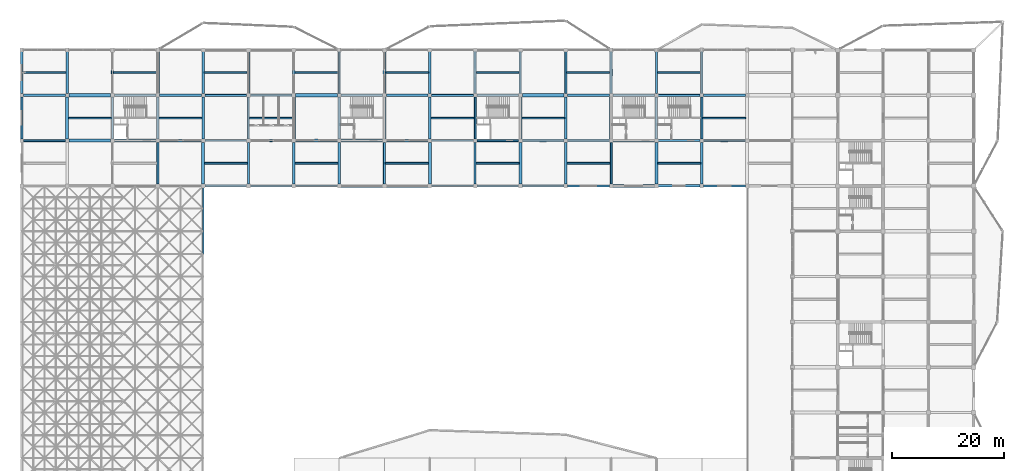
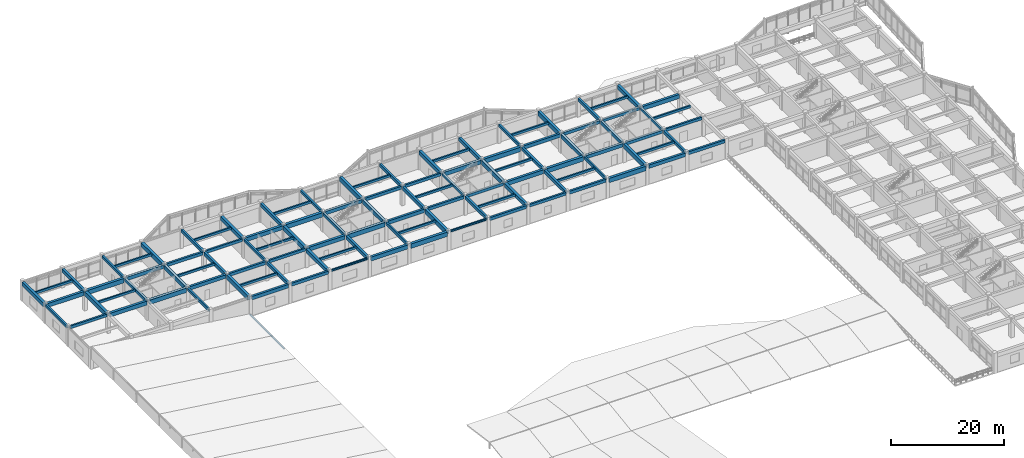
# One storey, part 25 of 70: 109 beams, 3 members.
"""IFC4 building model written with IfcOpenShell, lengths in metres."""

from ifc_helpers import new_model, si_unit, direction, frame, origin, origin_2d, place, context, subcontext, project, spatial, rectangle, hollow_rectangle, i_section, extrude, material, material_profile, profile_set, type_object, element, save


model = new_model("IFC4")

# Units and contexts
model_context = context("Model", 3, precision=1e-05, world=origin(), true_north=direction((0.0, 1.0)))
body_context = subcontext(model_context, "Body", "Model", "MODEL_VIEW")
ifc_project = project(units=[si_unit("LENGTHUNIT", "METRE"), si_unit("AREAUNIT", "SQUARE_METRE"), si_unit("VOLUMEUNIT", "CUBIC_METRE"), si_unit("PLANEANGLEUNIT", "RADIAN"), si_unit("MASSUNIT", "GRAM", prefix="KILO")], contexts=[model_context])

# Site, building, storey
site_placement = place(None, origin())
site = spatial("IfcSite", under=ifc_project, at=site_placement, CompositionType="ELEMENT")
building_placement = place(site_placement, origin())
building = spatial("IfcBuilding", under=site, at=building_placement, Name="Vaudrelin Polytechnic", CompositionType="ELEMENT")
storey_placement = place(building_placement, frame((0.0, 0.0, 14.110107421875)))
storey = spatial("IfcBuildingStorey", under=building, at=storey_placement, Name="L03", CompositionType="ELEMENT", Elevation=14.110107421875)

# Beams
ifc_material_1 = material(Name="Concrete 40 MPa", Category="concrete")
ifc_material_profile_1 = material_profile(ifc_material_1, rectangle(XDim=0.35009765625, YDim=0.60009765625, at=origin_2d()), Name="RC350x600")
ifc_profile_set_1 = profile_set([ifc_material_profile_1], Name="Concrete 40 MPa")
beam_type_1 = type_object("IfcBeamType", Name="BM-BM-RC3560", PredefinedType="BEAM", material=ifc_profile_set_1)
for number, where, z_axis, x_axis, name in (
    (1, (0.0, 105.610107421875, 3.85986328125), (0.0, 1.0, 0.0), (-1.0, 0.0, 0.0), "L03 Y-beam 1-14"),
    (2, (16.199951171875, 113.7099609375, 3.85986328125), (0.0, 1.0, 0.0), (-1.0, 0.0, 0.0), "L03 Y-beam 3-15"),
    (3, (24.300048828125, 97.510009765625, 3.85986328125), (0.0, 1.0, 0.0), (-1.0, 0.0, 0.0), "L03 Y-beam 4-13"),
    (4, (40.5, 105.610107421875, 3.85986328125), (0.0, 1.0, 0.0), (-1.0, 0.0, 0.0), "L03 Y-beam 6-14"),
    (5, (56.699951171875, 113.7099609375, 3.85986328125), (0.0, 1.0, 0.0), (-1.0, 0.0, 0.0), "L03 Y-beam 8-15"),
    (6, (64.800048828125, 97.510009765625, 3.85986328125), (0.0, 1.0, 0.0), (-1.0, 0.0, 0.0), "L03 Y-beam 9-13"),
    (7, (81.0, 105.610107421875, 3.849853515625), (0.0, 1.0, 0.0), (-1.0, 0.0, 0.0), "L03 Y-beam 11-14"),
    (8, (97.199951171875, 113.7099609375, 3.849853515625), (0.0, 1.0, 0.0), (-1.0, 0.0, 0.0), "L03 Y-beam 13-15"),
    (9, (105.300048828125, 97.510009765625, 3.849853515625), (0.0, 1.0, 0.0), (-1.0, 0.0, 0.0), "L03 Y-beam 14-13"),
    (10, (121.5, 105.610107421875, 3.849853515625), (0.0, 1.0, 0.0), (-1.0, 0.0, 0.0), "L03 Y-beam 16-14"),
):
    element("IfcBeam", number, at=place(storey_placement, frame(where, z_axis=z_axis, x_axis=x_axis)), inside=storey, type_object=beam_type_1, Name=name, PredefinedType="BEAM", context=body_context, shape_type="SweptSolid", body=[
        extrude(rectangle(XDim=0.35009765625, YDim=0.60009765625, at=origin_2d()), origin(), (0.0, 0.0, 1.0), 7.47998046875),
    ])
for number, where, z_axis, x_axis, name in (
    (11, (0.321044921875, 105.300048828125, 3.85986328125), (1.0, 0.0, 0.0), (0.0, 1.0, 0.0), "L03 X-beam 1-14"),
    (12, (32.720947265625, 113.39990234375, 3.85986328125), (1.0, 0.0, 0.0), (0.0, 1.0, 0.0), "L03 X-beam 5-15"),
    (13, (40.821044921875, 105.300048828125, 3.85986328125), (1.0, 0.0, 0.0), (0.0, 1.0, 0.0), "L03 X-beam 6-14"),
    (14, (73.220947265625, 113.39990234375, 3.849853515625), (1.0, 0.0, 0.0), (0.0, 1.0, 0.0), "L03 X-beam 10-15"),
    (15, (81.321044921875, 105.300048828125, 3.849853515625), (1.0, 0.0, 0.0), (0.0, 1.0, 0.0), "L03 X-beam 11-14"),
    (16, (89.4208984375, 97.199951171875, 3.849853515625), (1.0, 0.0, 0.0), (0.0, 1.0, 0.0), "L03 X-beam 12-13"),
    (17, (113.720947265625, 113.39990234375, 3.849853515625), (1.0, 0.0, 0.0), (0.0, 1.0, 0.0), "L03 X-beam 15-15"),
    (18, (121.821044921875, 105.300048828125, 3.849853515625), (1.0, 0.0, 0.0), (0.0, 1.0, 0.0), "L03 X-beam 16-14"),
):
    element("IfcBeam", number, at=place(storey_placement, frame(where, z_axis=z_axis, x_axis=x_axis)), inside=storey, type_object=beam_type_1, Name=name, PredefinedType="BEAM", context=body_context, shape_type="SweptSolid", body=[
        extrude(rectangle(XDim=0.35009765625, YDim=0.60009765625, at=origin_2d()), origin(), (0.0, 0.0, 1.0), 7.4580078125),
    ])
ifc_material_profile_2 = material_profile(ifc_material_1, rectangle(XDim=0.39990234375, YDim=0.64990234375, at=origin_2d()), Name="RC400x650")
ifc_profile_set_2 = profile_set([ifc_material_profile_2], Name="Concrete 40 MPa")
beam_type_2 = type_object("IfcBeamType", Name="BM-BM-RC4065", PredefinedType="BEAM", material=ifc_profile_set_2)
for number, where, z_axis, x_axis, name in (
    (19, (16.199951171875, 105.610107421875, 3.8349609375), (0.0, 1.0, 0.0), (-1.0, 0.0, 0.0), "L03 Y-beam 3-14"),
    (20, (32.39990234375, 113.7099609375, 3.8349609375), (0.0, 1.0, 0.0), (-1.0, 0.0, 0.0), "L03 Y-beam 5-15"),
    (21, (40.5, 97.510009765625, 3.8349609375), (0.0, 1.0, 0.0), (-1.0, 0.0, 0.0), "L03 Y-beam 6-13"),
    (22, (56.699951171875, 105.610107421875, 3.8349609375), (0.0, 1.0, 0.0), (-1.0, 0.0, 0.0), "L03 Y-beam 8-14"),
    (23, (72.89990234375, 113.7099609375, 3.824951171875), (0.0, 1.0, 0.0), (-1.0, 0.0, 0.0), "L03 Y-beam 10-15"),
    (24, (81.0, 97.510009765625, 3.824951171875), (0.0, 1.0, 0.0), (-1.0, 0.0, 0.0), "L03 Y-beam 11-13"),
    (25, (97.199951171875, 105.610107421875, 3.824951171875), (0.0, 1.0, 0.0), (-1.0, 0.0, 0.0), "L03 Y-beam 13-14"),
    (26, (113.39990234375, 113.7099609375, 3.824951171875), (0.0, 1.0, 0.0), (-1.0, 0.0, 0.0), "L03 Y-beam 15-15"),
    (27, (121.5, 97.510009765625, 3.824951171875), (0.0, 1.0, 0.0), (-1.0, 0.0, 0.0), "L03 Y-beam 16-13"),
):
    element("IfcBeam", number, at=place(storey_placement, frame(where, z_axis=z_axis, x_axis=x_axis)), inside=storey, type_object=beam_type_2, Name=name, PredefinedType="BEAM", context=body_context, shape_type="SweptSolid", body=[
        extrude(rectangle(XDim=0.39990234375, YDim=0.64990234375, at=origin_2d()), origin(), (0.0, 0.0, 1.0), 7.47998046875),
    ])
for number, where, z_axis, x_axis, name in (
    (28, (24.62109375, 113.39990234375, 3.8349609375), (1.0, 0.0, 0.0), (0.0, 1.0, 0.0), "L03 X-beam 4-15"),
    (29, (32.720947265625, 105.300048828125, 3.8349609375), (1.0, 0.0, 0.0), (0.0, 1.0, 0.0), "L03 X-beam 5-14"),
    (30, (40.821044921875, 97.199951171875, 3.8349609375), (1.0, 0.0, 0.0), (0.0, 1.0, 0.0), "L03 X-beam 6-13"),
    (31, (65.12109375, 113.39990234375, 3.8349609375), (1.0, 0.0, 0.0), (0.0, 1.0, 0.0), "L03 X-beam 9-15"),
    (32, (73.220947265625, 105.300048828125, 3.824951171875), (1.0, 0.0, 0.0), (0.0, 1.0, 0.0), "L03 X-beam 10-14"),
    (33, (81.321044921875, 97.199951171875, 3.824951171875), (1.0, 0.0, 0.0), (0.0, 1.0, 0.0), "L03 X-beam 11-13"),
    (34, (105.62109375, 113.39990234375, 3.824951171875), (1.0, 0.0, 0.0), (0.0, 1.0, 0.0), "L03 X-beam 14-15"),
    (35, (113.720947265625, 105.300048828125, 3.824951171875), (1.0, 0.0, 0.0), (0.0, 1.0, 0.0), "L03 X-beam 15-14"),
):
    element("IfcBeam", number, at=place(storey_placement, frame(where, z_axis=z_axis, x_axis=x_axis)), inside=storey, type_object=beam_type_2, Name=name, PredefinedType="BEAM", context=body_context, shape_type="SweptSolid", body=[
        extrude(rectangle(XDim=0.39990234375, YDim=0.64990234375, at=origin_2d()), origin(), (0.0, 0.0, 1.0), 7.4580078125),
    ])
ifc_material_profile_3 = material_profile(ifc_material_1, rectangle(XDim=0.449951171875, YDim=0.75, at=origin_2d()), Name="RC450x750")
ifc_profile_set_3 = profile_set([ifc_material_profile_3], Name="Concrete 40 MPa")
beam_type_3 = type_object("IfcBeamType", Name="BM-BM-RC4575", PredefinedType="BEAM", material=ifc_profile_set_3)
for number, where, z_axis, x_axis, name in (
    (36, (8.10009765625, 113.7099609375, 3.784912109375), (0.0, 1.0, 0.0), (-1.0, 0.0, 0.0), "L03 Y-beam 2-15"),
    (37, (32.39990234375, 105.610107421875, 3.784912109375), (0.0, 1.0, 0.0), (-1.0, 0.0, 0.0), "L03 Y-beam 5-14"),
    (38, (48.60009765625, 113.7099609375, 3.784912109375), (0.0, 1.0, 0.0), (-1.0, 0.0, 0.0), "L03 Y-beam 7-15"),
    (39, (56.699951171875, 97.510009765625, 3.784912109375), (0.0, 1.0, 0.0), (-1.0, 0.0, 0.0), "L03 Y-beam 8-13"),
    (40, (72.89990234375, 105.610107421875, 3.77490234375), (0.0, 1.0, 0.0), (-1.0, 0.0, 0.0), "L03 Y-beam 10-14"),
    (41, (89.10009765625, 113.7099609375, 3.77490234375), (0.0, 1.0, 0.0), (-1.0, 0.0, 0.0), "L03 Y-beam 12-15"),
    (42, (97.199951171875, 97.510009765625, 3.77490234375), (0.0, 1.0, 0.0), (-1.0, 0.0, 0.0), "L03 Y-beam 13-13"),
    (43, (113.39990234375, 105.610107421875, 3.77490234375), (0.0, 1.0, 0.0), (-1.0, 0.0, 0.0), "L03 Y-beam 15-14"),
):
    element("IfcBeam", number, at=place(storey_placement, frame(where, z_axis=z_axis, x_axis=x_axis)), inside=storey, type_object=beam_type_3, Name=name, PredefinedType="BEAM", context=body_context, shape_type="SweptSolid", body=[
        extrude(rectangle(XDim=0.449951171875, YDim=0.75, at=origin_2d()), origin(), (0.0, 0.0, 1.0), 7.47998046875),
    ])
for number, where, z_axis, x_axis, name in (
    (44, (16.52099609375, 113.39990234375, 3.784912109375), (1.0, 0.0, 0.0), (0.0, 1.0, 0.0), "L03 X-beam 3-15"),
    (45, (24.62109375, 105.300048828125, 3.784912109375), (1.0, 0.0, 0.0), (0.0, 1.0, 0.0), "L03 X-beam 4-14"),
    (46, (32.720947265625, 97.199951171875, 3.784912109375), (1.0, 0.0, 0.0), (0.0, 1.0, 0.0), "L03 X-beam 5-13"),
    (47, (57.02099609375, 113.39990234375, 3.784912109375), (1.0, 0.0, 0.0), (0.0, 1.0, 0.0), "L03 X-beam 8-15"),
    (48, (65.12109375, 105.300048828125, 3.784912109375), (1.0, 0.0, 0.0), (0.0, 1.0, 0.0), "L03 X-beam 9-14"),
    (49, (97.52099609375, 113.39990234375, 3.77490234375), (1.0, 0.0, 0.0), (0.0, 1.0, 0.0), "L03 X-beam 13-15"),
    (50, (105.62109375, 105.300048828125, 3.77490234375), (1.0, 0.0, 0.0), (0.0, 1.0, 0.0), "L03 X-beam 14-14"),
    (51, (113.720947265625, 97.199951171875, 3.77490234375), (1.0, 0.0, 0.0), (0.0, 1.0, 0.0), "L03 X-beam 15-13"),
):
    element("IfcBeam", number, at=place(storey_placement, frame(where, z_axis=z_axis, x_axis=x_axis)), inside=storey, type_object=beam_type_3, Name=name, PredefinedType="BEAM", context=body_context, shape_type="SweptSolid", body=[
        extrude(rectangle(XDim=0.449951171875, YDim=0.75, at=origin_2d()), origin(), (0.0, 0.0, 1.0), 7.4580078125),
    ])
ifc_material_profile_4 = material_profile(ifc_material_1, rectangle(XDim=0.5, YDim=0.85009765625, at=origin_2d()), Name="RC500x850")
ifc_profile_set_4 = profile_set([ifc_material_profile_4], Name="Concrete 40 MPa")
beam_type_4 = type_object("IfcBeamType", Name="BM-BM-RC5085", PredefinedType="BEAM", material=ifc_profile_set_4)
for number, where, z_axis, x_axis, name in (
    (52, (0.0, 113.7099609375, 3.73486328125), (0.0, 1.0, 0.0), (-1.0, 0.0, 0.0), "L03 Y-beam 1-15"),
    (53, (24.300048828125, 105.610107421875, 3.73486328125), (0.0, 1.0, 0.0), (-1.0, 0.0, 0.0), "L03 Y-beam 4-14"),
    (54, (40.5, 113.7099609375, 3.73486328125), (0.0, 1.0, 0.0), (-1.0, 0.0, 0.0), "L03 Y-beam 6-15"),
    (55, (48.60009765625, 97.510009765625, 3.73486328125), (0.0, 1.0, 0.0), (-1.0, 0.0, 0.0), "L03 Y-beam 7-13"),
    (56, (64.800048828125, 105.610107421875, 3.73486328125), (0.0, 1.0, 0.0), (-1.0, 0.0, 0.0), "L03 Y-beam 9-14"),
    (57, (81.0, 113.7099609375, 3.724853515625), (0.0, 1.0, 0.0), (-1.0, 0.0, 0.0), "L03 Y-beam 11-15"),
    (58, (89.10009765625, 97.510009765625, 3.724853515625), (0.0, 1.0, 0.0), (-1.0, 0.0, 0.0), "L03 Y-beam 12-13"),
    (59, (105.300048828125, 105.610107421875, 3.724853515625), (0.0, 1.0, 0.0), (-1.0, 0.0, 0.0), "L03 Y-beam 14-14"),
    (60, (121.5, 113.7099609375, 3.724853515625), (0.0, 1.0, 0.0), (-1.0, 0.0, 0.0), "L03 Y-beam 16-15"),
):
    element("IfcBeam", number, at=place(storey_placement, frame(where, z_axis=z_axis, x_axis=x_axis)), inside=storey, type_object=beam_type_4, Name=name, PredefinedType="BEAM", context=body_context, shape_type="SweptSolid", body=[
        extrude(rectangle(XDim=0.5, YDim=0.85009765625, at=origin_2d()), origin(), (0.0, 0.0, 1.0), 7.47998046875),
    ])
for number, where, z_axis, x_axis, name in (
    (61, (0.321044921875, 113.39990234375, 3.73486328125), (1.0, 0.0, 0.0), (0.0, 1.0, 0.0), "L03 X-beam 1-15"),
    (62, (8.4208984375, 105.300048828125, 3.73486328125), (1.0, 0.0, 0.0), (0.0, 1.0, 0.0), "L03 X-beam 2-14"),
    (63, (40.821044921875, 113.39990234375, 3.73486328125), (1.0, 0.0, 0.0), (0.0, 1.0, 0.0), "L03 X-beam 6-15"),
    (64, (48.9208984375, 105.300048828125, 3.73486328125), (1.0, 0.0, 0.0), (0.0, 1.0, 0.0), "L03 X-beam 7-14"),
    (65, (57.02099609375, 97.199951171875, 3.73486328125), (1.0, 0.0, 0.0), (0.0, 1.0, 0.0), "L03 X-beam 8-13"),
    (66, (81.321044921875, 113.39990234375, 3.724853515625), (1.0, 0.0, 0.0), (0.0, 1.0, 0.0), "L03 X-beam 11-15"),
    (67, (89.4208984375, 105.300048828125, 3.724853515625), (1.0, 0.0, 0.0), (0.0, 1.0, 0.0), "L03 X-beam 12-14"),
    (68, (121.821044921875, 113.39990234375, 3.724853515625), (1.0, 0.0, 0.0), (0.0, 1.0, 0.0), "L03 X-beam 16-15"),
):
    element("IfcBeam", number, at=place(storey_placement, frame(where, z_axis=z_axis, x_axis=x_axis)), inside=storey, type_object=beam_type_4, Name=name, PredefinedType="BEAM", context=body_context, shape_type="SweptSolid", body=[
        extrude(rectangle(XDim=0.5, YDim=0.85009765625, at=origin_2d()), origin(), (0.0, 0.0, 1.0), 7.4580078125),
    ])
ifc_material_2 = material(Name="Concrete 50 MPa", Category="concrete")
ifc_material_profile_5 = material_profile(ifc_material_2, rectangle(XDim=0.550048828125, YDim=0.949951171875, at=origin_2d()), Name="RC550x950")
ifc_profile_set_5 = profile_set([ifc_material_profile_5], Name="Concrete 50 MPa")
beam_type_5 = type_object("IfcBeamType", Name="BM-BM-RC5595", PredefinedType="BEAM", material=ifc_profile_set_5)
for number, where, z_axis, x_axis, name in (
    (69, (8.10009765625, 105.610107421875, 3.684814453125), (0.0, 1.0, 0.0), (-1.0, 0.0, 0.0), "L03 Y-beam 2-14"),
    (70, (24.300048828125, 113.7099609375, 3.684814453125), (0.0, 1.0, 0.0), (-1.0, 0.0, 0.0), "L03 Y-beam 4-15"),
    (71, (32.39990234375, 97.510009765625, 3.684814453125), (0.0, 1.0, 0.0), (-1.0, 0.0, 0.0), "L03 Y-beam 5-13"),
    (72, (48.60009765625, 105.610107421875, 3.684814453125), (0.0, 1.0, 0.0), (-1.0, 0.0, 0.0), "L03 Y-beam 7-14"),
    (73, (64.800048828125, 113.7099609375, 3.684814453125), (0.0, 1.0, 0.0), (-1.0, 0.0, 0.0), "L03 Y-beam 9-15"),
    (74, (72.89990234375, 97.510009765625, 3.6748046875), (0.0, 1.0, 0.0), (-1.0, 0.0, 0.0), "L03 Y-beam 10-13"),
    (75, (89.10009765625, 105.610107421875, 3.6748046875), (0.0, 1.0, 0.0), (-1.0, 0.0, 0.0), "L03 Y-beam 12-14"),
    (76, (105.300048828125, 113.7099609375, 3.6748046875), (0.0, 1.0, 0.0), (-1.0, 0.0, 0.0), "L03 Y-beam 14-15"),
    (77, (113.39990234375, 97.510009765625, 3.6748046875), (0.0, 1.0, 0.0), (-1.0, 0.0, 0.0), "L03 Y-beam 15-13"),
):
    element("IfcBeam", number, at=place(storey_placement, frame(where, z_axis=z_axis, x_axis=x_axis)), inside=storey, type_object=beam_type_5, Name=name, PredefinedType="BEAM", context=body_context, shape_type="SweptSolid", body=[
        extrude(rectangle(XDim=0.550048828125, YDim=0.949951171875, at=origin_2d()), origin(), (0.0, 0.0, 1.0), 7.47998046875),
    ])
for number, where, z_axis, x_axis, name in (
    (78, (8.4208984375, 113.39990234375, 3.684814453125), (1.0, 0.0, 0.0), (0.0, 1.0, 0.0), "L03 X-beam 2-15"),
    (79, (16.52099609375, 105.300048828125, 3.684814453125), (1.0, 0.0, 0.0), (0.0, 1.0, 0.0), "L03 X-beam 3-14"),
    (80, (48.9208984375, 113.39990234375, 3.684814453125), (1.0, 0.0, 0.0), (0.0, 1.0, 0.0), "L03 X-beam 7-15"),
    (81, (57.02099609375, 105.300048828125, 3.684814453125), (1.0, 0.0, 0.0), (0.0, 1.0, 0.0), "L03 X-beam 8-14"),
    (82, (65.12109375, 97.199951171875, 3.684814453125), (1.0, 0.0, 0.0), (0.0, 1.0, 0.0), "L03 X-beam 9-13"),
    (83, (89.4208984375, 113.39990234375, 3.6748046875), (1.0, 0.0, 0.0), (0.0, 1.0, 0.0), "L03 X-beam 12-15"),
    (84, (97.52099609375, 105.300048828125, 3.6748046875), (1.0, 0.0, 0.0), (0.0, 1.0, 0.0), "L03 X-beam 13-14"),
    (85, (105.62109375, 97.199951171875, 3.6748046875), (1.0, 0.0, 0.0), (0.0, 1.0, 0.0), "L03 X-beam 14-13"),
):
    element("IfcBeam", number, at=place(storey_placement, frame(where, z_axis=z_axis, x_axis=x_axis)), inside=storey, type_object=beam_type_5, Name=name, PredefinedType="BEAM", context=body_context, shape_type="SweptSolid", body=[
        extrude(rectangle(XDim=0.550048828125, YDim=0.949951171875, at=origin_2d()), origin(), (0.0, 0.0, 1.0), 7.4580078125),
    ])
ifc_material_3 = material(Name="Steel CSA G40.21 350WT", Category="steel")
ifc_material_profile_6 = material_profile(ifc_material_3, i_section(OverallWidth=0.260009765625, OverallDepth=0.4150390625, WebThickness=0.010009765625, FlangeThickness=0.016845703125, FilletRadius=0.01611328125, at=origin_2d()), Name="W410x100")
ifc_profile_set_6 = profile_set([ifc_material_profile_6], Name="Steel CSA G40.21 350WT")
beam_type_6 = type_object("IfcBeamType", Name="BM-BM-W410H", PredefinedType="SPANDREL", material=ifc_profile_set_6)
for number, where, z_axis, x_axis, name in (
    (86, (48.9208984375, 97.199951171875, 3.952392578125), (1.0, 0.0, 0.0), (0.0, 1.0, 0.0), "L03 X-beam 7-13"),
    (87, (73.220947265625, 97.199951171875, 3.9423828125), (1.0, 0.0, 0.0), (0.0, 1.0, 0.0), "L03 X-beam 10-13"),
):
    element("IfcBeam", number, at=place(storey_placement, frame(where, z_axis=z_axis, x_axis=x_axis)), inside=storey, type_object=beam_type_6, Name=name, PredefinedType="SPANDREL", context=body_context, shape_type="SweptSolid", body=[
        extrude(i_section(OverallWidth=0.260009765625, OverallDepth=0.4150390625, WebThickness=0.010009765625, FlangeThickness=0.016845703125, FilletRadius=0.01611328125, at=origin_2d()), origin(), (0.0, 0.0, 1.0), 7.4580078125),
    ])
ifc_material_profile_7 = material_profile(ifc_material_1, rectangle(XDim=0.300048828125, YDim=0.5, at=origin_2d()), Name="RC300x500")
ifc_profile_set_7 = profile_set([ifc_material_profile_7], Name="Concrete 40 MPa")
beam_type_7 = type_object("IfcBeamType", Name="BM-JS-RC3050", PredefinedType="JOIST", material=ifc_profile_set_7)
for number, where, z_axis, x_axis, name in (
    (88, (0.24609375, 117.449951171875, 3.909912109375), (1.0, 0.0, 0.0), (0.0, 1.0, 0.0), "L03 floor joist 1-15"),
    (89, (8.37109375, 109.35009765625, 3.909912109375), (1.0, 0.0, 0.0), (0.0, 1.0, 0.0), "L03 floor joist 2-14"),
):
    element("IfcBeam", number, at=place(storey_placement, frame(where, z_axis=z_axis, x_axis=x_axis)), inside=storey, type_object=beam_type_7, Name=name, PredefinedType="JOIST", context=body_context, shape_type="SweptSolid", body=[
        extrude(rectangle(XDim=0.300048828125, YDim=0.5, at=origin_2d()), origin(), (0.0, 0.0, 1.0), 7.6328125),
    ])
beam_1_placement = place(storey_placement, frame((16.37109375, 117.449951171875, 3.909912109375), z_axis=(1.0, 0.0, 0.0), x_axis=(0.0, 1.0, 0.0)))
element("IfcBeam", 90, at=beam_1_placement, inside=storey, type_object=beam_type_7, Name="L03 floor joist 3-15", PredefinedType="JOIST", context=body_context, shape_type="SweptSolid", body=[
    extrude(rectangle(XDim=0.300048828125, YDim=0.5, at=origin_2d()), origin(), (0.0, 0.0, 1.0), 7.657958984375),
])
for number, where, z_axis, x_axis, name in (
    (91, (24.5458984375, 109.35009765625, 3.909912109375), (1.0, 0.0, 0.0), (0.0, 1.0, 0.0), "L03 floor joist 4-14"),
    (92, (32.6708984375, 101.25, 3.909912109375), (1.0, 0.0, 0.0), (0.0, 1.0, 0.0), "L03 floor joist 5-13"),
):
    element("IfcBeam", number, at=place(storey_placement, frame(where, z_axis=z_axis, x_axis=x_axis)), inside=storey, type_object=beam_type_7, Name=name, PredefinedType="JOIST", context=body_context, shape_type="SweptSolid", body=[
        extrude(rectangle(XDim=0.300048828125, YDim=0.5, at=origin_2d()), origin(), (0.0, 0.0, 1.0), 7.633056640625),
    ])
beam_2_placement = place(storey_placement, frame((32.595947265625, 117.449951171875, 3.909912109375), z_axis=(1.0, 0.0, 0.0), x_axis=(0.0, 1.0, 0.0)))
element("IfcBeam", 93, at=beam_2_placement, inside=storey, type_object=beam_type_7, Name="L03 floor joist 5-15", PredefinedType="JOIST", context=body_context, shape_type="SweptSolid", body=[
    extrude(rectangle(XDim=0.300048828125, YDim=0.5, at=origin_2d()), origin(), (0.0, 0.0, 1.0), 7.657958984375),
])
beam_3_placement = place(storey_placement, frame((40.6708984375, 109.35009765625, 3.909912109375), z_axis=(1.0, 0.0, 0.0), x_axis=(0.0, 1.0, 0.0)))
element("IfcBeam", 94, at=beam_3_placement, inside=storey, type_object=beam_type_7, Name="L03 floor joist 6-14", PredefinedType="JOIST", context=body_context, shape_type="SweptSolid", body=[
    extrude(rectangle(XDim=0.300048828125, YDim=0.5, at=origin_2d()), origin(), (0.0, 0.0, 1.0), 7.658203125),
])
beam_4_placement = place(storey_placement, frame((48.845947265625, 101.25, 3.909912109375), z_axis=(1.0, 0.0, 0.0), x_axis=(0.0, 1.0, 0.0)))
element("IfcBeam", 95, at=beam_4_placement, inside=storey, type_object=beam_type_7, Name="L03 floor joist 7-13", PredefinedType="JOIST", context=body_context, shape_type="SweptSolid", body=[
    extrude(rectangle(XDim=0.300048828125, YDim=0.5, at=origin_2d()), origin(), (0.0, 0.0, 1.0), 7.633056640625),
])
beam_5_placement = place(storey_placement, frame((48.821044921875, 117.449951171875, 3.909912109375), z_axis=(1.0, 0.0, 0.0), x_axis=(0.0, 1.0, 0.0)))
element("IfcBeam", 96, at=beam_5_placement, inside=storey, type_object=beam_type_7, Name="L03 floor joist 7-15", PredefinedType="JOIST", context=body_context, shape_type="SweptSolid", body=[
    extrude(rectangle(XDim=0.300048828125, YDim=0.5, at=origin_2d()), origin(), (0.0, 0.0, 1.0), 7.7080078125),
])
beam_6_placement = place(storey_placement, frame((64.970947265625, 101.25, 3.909912109375), z_axis=(1.0, 0.0, 0.0), x_axis=(0.0, 1.0, 0.0)))
element("IfcBeam", 97, at=beam_6_placement, inside=storey, type_object=beam_type_7, Name="L03 floor joist 9-13", PredefinedType="JOIST", context=body_context, shape_type="SweptSolid", body=[
    extrude(rectangle(XDim=0.300048828125, YDim=0.5, at=origin_2d()), origin(), (0.0, 0.0, 1.0), 7.657958984375),
])
beam_7_placement = place(storey_placement, frame((65.071044921875, 117.449951171875, 3.909912109375), z_axis=(1.0, 0.0, 0.0), x_axis=(0.0, 1.0, 0.0)))
element("IfcBeam", 98, at=beam_7_placement, inside=storey, type_object=beam_type_7, Name="L03 floor joist 9-15", PredefinedType="JOIST", context=body_context, shape_type="SweptSolid", body=[
    extrude(rectangle(XDim=0.300048828125, YDim=0.5, at=origin_2d()), origin(), (0.0, 0.0, 1.0), 7.633056640625),
])
beam_8_placement = place(storey_placement, frame((73.12109375, 109.35009765625, 3.89990234375), z_axis=(1.0, 0.0, 0.0), x_axis=(0.0, 1.0, 0.0)))
element("IfcBeam", 99, at=beam_8_placement, inside=storey, type_object=beam_type_7, Name="L03 floor joist 10-14", PredefinedType="JOIST", context=body_context, shape_type="SweptSolid", body=[
    extrude(rectangle(XDim=0.300048828125, YDim=0.5, at=origin_2d()), origin(), (0.0, 0.0, 1.0), 7.7080078125),
])
beam_9_placement = place(storey_placement, frame((81.196044921875, 101.25, 3.89990234375), z_axis=(1.0, 0.0, 0.0), x_axis=(0.0, 1.0, 0.0)))
element("IfcBeam", 100, at=beam_9_placement, inside=storey, type_object=beam_type_7, Name="L03 floor joist 11-13", PredefinedType="JOIST", context=body_context, shape_type="SweptSolid", body=[
    extrude(rectangle(XDim=0.300048828125, YDim=0.5, at=origin_2d()), origin(), (0.0, 0.0, 1.0), 7.657958984375),
])
for number, where, z_axis, x_axis, name in (
    (101, (81.24609375, 117.449951171875, 3.89990234375), (1.0, 0.0, 0.0), (0.0, 1.0, 0.0), "L03 floor joist 11-15"),
    (102, (89.37109375, 109.35009765625, 3.89990234375), (1.0, 0.0, 0.0), (0.0, 1.0, 0.0), "L03 floor joist 12-14"),
):
    element("IfcBeam", number, at=place(storey_placement, frame(where, z_axis=z_axis, x_axis=x_axis)), inside=storey, type_object=beam_type_7, Name=name, PredefinedType="JOIST", context=body_context, shape_type="SweptSolid", body=[
        extrude(rectangle(XDim=0.300048828125, YDim=0.5, at=origin_2d()), origin(), (0.0, 0.0, 1.0), 7.6328125),
    ])
beam_10_placement = place(storey_placement, frame((97.4208984375, 101.25, 3.89990234375), z_axis=(1.0, 0.0, 0.0), x_axis=(0.0, 1.0, 0.0)))
element("IfcBeam", 103, at=beam_10_placement, inside=storey, type_object=beam_type_7, Name="L03 floor joist 13-13", PredefinedType="JOIST", context=body_context, shape_type="SweptSolid", body=[
    extrude(rectangle(XDim=0.300048828125, YDim=0.5, at=origin_2d()), origin(), (0.0, 0.0, 1.0), 7.7080078125),
])
beam_11_placement = place(storey_placement, frame((97.37109375, 117.449951171875, 3.89990234375), z_axis=(1.0, 0.0, 0.0), x_axis=(0.0, 1.0, 0.0)))
element("IfcBeam", 104, at=beam_11_placement, inside=storey, type_object=beam_type_7, Name="L03 floor joist 13-15", PredefinedType="JOIST", context=body_context, shape_type="SweptSolid", body=[
    extrude(rectangle(XDim=0.300048828125, YDim=0.5, at=origin_2d()), origin(), (0.0, 0.0, 1.0), 7.657958984375),
])
beam_12_placement = place(storey_placement, frame((113.6708984375, 101.25, 3.89990234375), z_axis=(1.0, 0.0, 0.0), x_axis=(0.0, 1.0, 0.0)))
element("IfcBeam", 105, at=beam_12_placement, inside=storey, type_object=beam_type_7, Name="L03 floor joist 15-13", PredefinedType="JOIST", context=body_context, shape_type="SweptSolid", body=[
    extrude(rectangle(XDim=0.300048828125, YDim=0.5, at=origin_2d()), origin(), (0.0, 0.0, 1.0), 7.633056640625),
])
beam_13_placement = place(storey_placement, frame((113.595947265625, 117.449951171875, 3.89990234375), z_axis=(1.0, 0.0, 0.0), x_axis=(0.0, 1.0, 0.0)))
element("IfcBeam", 106, at=beam_13_placement, inside=storey, type_object=beam_type_7, Name="L03 floor joist 15-15", PredefinedType="JOIST", context=body_context, shape_type="SweptSolid", body=[
    extrude(rectangle(XDim=0.300048828125, YDim=0.5, at=origin_2d()), origin(), (0.0, 0.0, 1.0), 7.657958984375),
])
beam_14_placement = place(storey_placement, frame((121.6708984375, 109.35009765625, 3.89990234375), z_axis=(1.0, 0.0, 0.0), x_axis=(0.0, 1.0, 0.0)))
element("IfcBeam", 107, at=beam_14_placement, inside=storey, type_object=beam_type_7, Name="L03 floor joist 16-14", PredefinedType="JOIST", context=body_context, shape_type="SweptSolid", body=[
    extrude(rectangle(XDim=0.300048828125, YDim=0.5, at=origin_2d()), origin(), (0.0, 0.0, 1.0), 7.658203125),
])
ifc_material_profile_8 = material_profile(ifc_material_1, rectangle(XDim=0.39990234375, YDim=0.64990234375, at=origin_2d()), Name="RC400x650")
ifc_profile_set_8 = profile_set([ifc_material_profile_8], Name="Concrete 40 MPa")
beam_type_8 = type_object("IfcBeamType", Name="BM-SP-RC4065", PredefinedType="SPANDREL", material=ifc_profile_set_8)
for number, where, z_axis, x_axis, name in (
    (108, (97.52099609375, 97.199951171875, 3.824951171875), (1.0, 0.0, 0.0), (0.0, 1.0, 0.0), "L03 X-beam 13-13"),
    (109, (121.821044921875, 97.199951171875, 3.824951171875), (1.0, 0.0, 0.0), (0.0, 1.0, 0.0), "L03 X-beam 16-13"),
):
    element("IfcBeam", number, at=place(storey_placement, frame(where, z_axis=z_axis, x_axis=x_axis)), inside=storey, type_object=beam_type_8, Name=name, PredefinedType="SPANDREL", context=body_context, shape_type="SweptSolid", body=[
        extrude(rectangle(XDim=0.39990234375, YDim=0.64990234375, at=origin_2d()), origin(), (0.0, 0.0, 1.0), 7.4580078125),
    ])

# Members
ifc_material_profile_9 = material_profile(ifc_material_3, hollow_rectangle(XDim=0.25390625, YDim=0.25390625, WallThickness=0.0126953125, InnerFilletRadius=0.0126953125, OuterFilletRadius=0.025390625, at=origin_2d()), Name="HSS254x254x12.7")
ifc_profile_set_9 = profile_set([ifc_material_profile_9], Name="Steel CSA G40.21 350WT")
member_type = type_object("IfcMemberType", Name="MEM-SF-TC2", PredefinedType="CHORD", material=ifc_profile_set_9)
member_1_placement = place(storey_placement, frame((32.39990234375, 85.050048828125, 0.239990234375), z_axis=(0.0, 1.0, 0.0), x_axis=(-1.0, 0.0, 0.0)))
element("IfcMember", 110, at=member_1_placement, inside=storey, type_object=member_type, Name="Space frame top chord Y 9-12", PredefinedType="CHORD", context=body_context, shape_type="SweptSolid", body=[
    extrude(hollow_rectangle(XDim=0.25390625, YDim=0.25390625, WallThickness=0.0126953125, InnerFilletRadius=0.0126953125, OuterFilletRadius=0.025390625, at=origin_2d()), origin(), (0.0, 0.0, 1.0), 4.050048828125),
])
member_2_placement = place(storey_placement, frame((32.39990234375, 89.10009765625, 0.239990234375), z_axis=(0.0, 1.0, 0.0), x_axis=(-1.0, 0.0, 0.0)))
element("IfcMember", 111, at=member_2_placement, inside=storey, type_object=member_type, Name="Space frame top chord Y 9-13", PredefinedType="CHORD", context=body_context, shape_type="SweptSolid", body=[
    extrude(hollow_rectangle(XDim=0.25390625, YDim=0.25390625, WallThickness=0.0126953125, InnerFilletRadius=0.0126953125, OuterFilletRadius=0.025390625, at=origin_2d()), origin(), (0.0, 0.0, 1.0), 4.0498046875),
])
member_3_placement = place(storey_placement, frame((32.39990234375, 93.14990234375, 0.239990234375), z_axis=(0.0, 1.0, 0.0), x_axis=(-1.0, 0.0, 0.0)))
element("IfcMember", 112, at=member_3_placement, inside=storey, type_object=member_type, Name="Space frame top chord Y 9-14", PredefinedType="CHORD", context=body_context, shape_type="SweptSolid", body=[
    extrude(hollow_rectangle(XDim=0.25390625, YDim=0.25390625, WallThickness=0.0126953125, InnerFilletRadius=0.0126953125, OuterFilletRadius=0.025390625, at=origin_2d()), origin(), (0.0, 0.0, 1.0), 4.050048828125),
])

save(model, "model.ifc")
